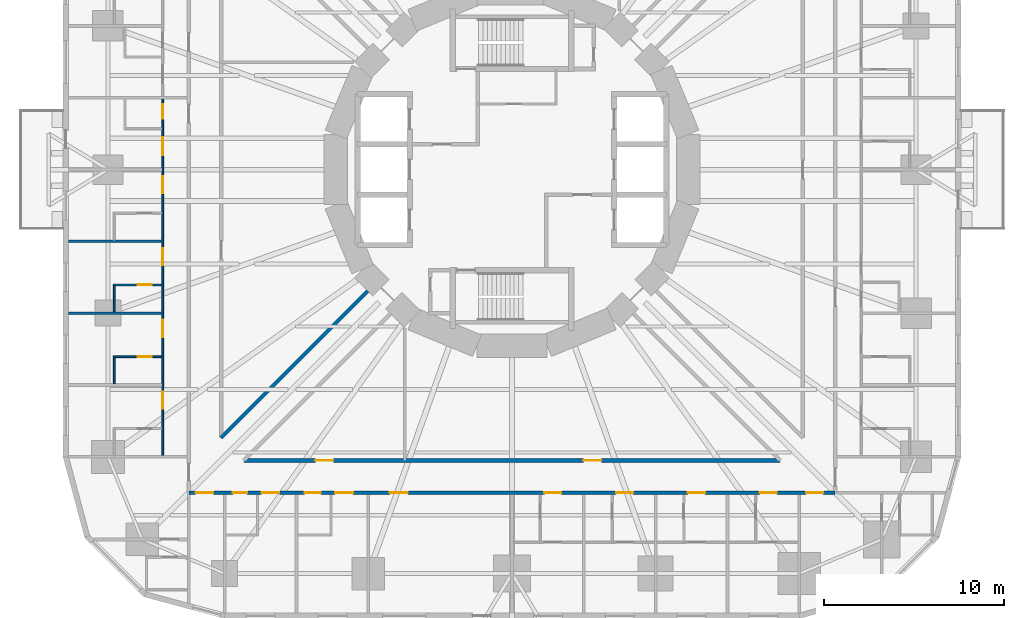
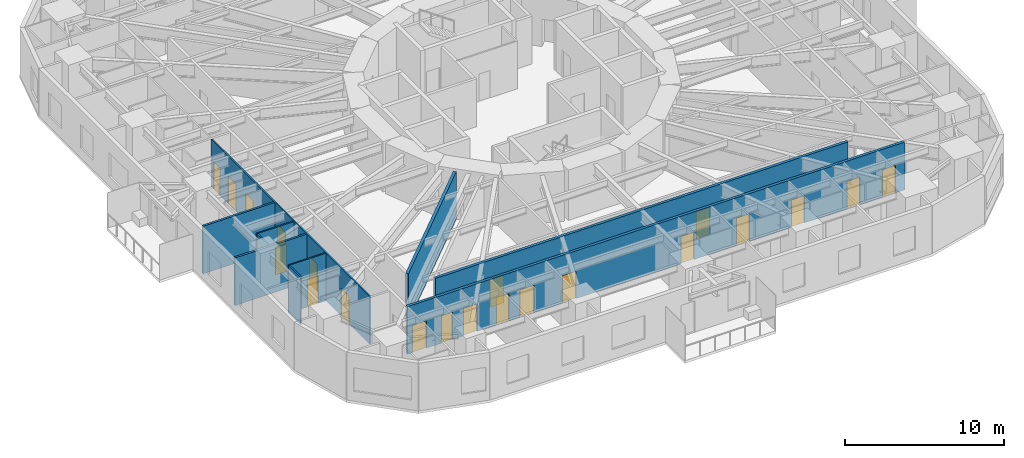
# One storey, part 5 of 14: 21 doors, 10 walls, 21 openings.
"""IFC4 building model written with IfcOpenShell, lengths in metres."""

from ifc_helpers import new_model, si_unit, direction, frame, frame_2d, origin, place, context, subcontext, project, spatial, rectangle, extrude, material, layer, layer_set, type_object, element, fill, save


model = new_model("IFC4")

# Units and contexts
model_context = context("Model", 3, precision=1e-05, world=origin(), true_north=direction((0.0, 1.0)))
body_context = subcontext(model_context, "Body", "Model", "MODEL_VIEW")
ifc_project = project(units=[si_unit("LENGTHUNIT", "METRE"), si_unit("AREAUNIT", "SQUARE_METRE"), si_unit("VOLUMEUNIT", "CUBIC_METRE"), si_unit("PLANEANGLEUNIT", "RADIAN"), si_unit("MASSUNIT", "GRAM", prefix="KILO")], contexts=[model_context])

# Site, building, storey
site_placement = place(None, origin())
site = spatial("IfcSite", under=ifc_project, at=site_placement, CompositionType="ELEMENT")
building_placement = place(site_placement, origin())
building = spatial("IfcBuilding", under=site, at=building_placement, Name="Nakasero Lantern House", CompositionType="ELEMENT")
storey_placement = place(building_placement, frame((0.0, 0.0, 19.85009765625)))
storey = spatial("IfcBuildingStorey", under=building, at=storey_placement, Name="L04", CompositionType="ELEMENT", Elevation=19.85009765625)

# Wall, openings, doors
ifc_material_1 = material(Name="Blockwork", Category="masonry")
ifc_layer_1 = layer(ifc_material_1, 0.10009765625)
ifc_layer_set_1 = layer_set([ifc_layer_1], Name="Cluster hall wall 100")
wall_type_1 = type_object("IfcWallType", Name="Cluster hall wall 100", PredefinedType="PARTITIONING", material=ifc_layer_set_1)
wall_1_placement = place(storey_placement, frame((-19.449951171875, 3.925048828125, 0.0), z_axis=(0.0, 0.0, 1.0), x_axis=(0.0, -1.0, 0.0)))
wall_1 = element("IfcWall", 1, at=wall_1_placement, inside=storey, type_object=wall_type_1, Name="Cluster hall wall L04 HW2-1", PredefinedType="PARTITIONING", context=body_context, shape_type="SweptSolid", body=[
    extrude(rectangle(XDim=19.85009765625, YDim=0.10009765625, at=frame_2d((9.925048828125, 0.0))), origin(), (0.0, 0.0, 1.0), 3.64990234375),
])
opening_1_placement = place(wall_1_placement, frame((2.125, 0.0, 0.0)))
opening_1 = element("IfcOpeningElement", 2, at=opening_1_placement, cuts=wall_1, Name="Opening D03", PredefinedType="OPENING", context=body_context, shape_type="SweptSolid", body=[
    extrude(rectangle(XDim=1.0, YDim=2.10009765625, at=frame_2d((0.5, 1.050048828125))), frame((0.0, 0.070068359375, 0.0), z_axis=(0.0, -1.0, 0.0), x_axis=(1.0, 0.0, 0.0)), (0.0, 0.0, 1.0), 0.14013671875),
])
opening_2_placement = place(wall_1_placement, frame((0.300048828125, 0.0, 0.0)))
opening_2 = element("IfcOpeningElement", 3, at=opening_2_placement, cuts=wall_1, Name="Opening D02", PredefinedType="OPENING", context=body_context, shape_type="SweptSolid", body=[
    extrude(rectangle(XDim=0.800048828125, YDim=2.10009765625, at=frame_2d((0.39990234375, 1.050048828125))), frame((0.0, 0.070068359375, 0.0), z_axis=(0.0, -1.0, 0.0), x_axis=(1.0, 0.0, 0.0)), (0.0, 0.0, 1.0), 0.14013671875),
])
opening_3_placement = place(wall_1_placement, frame((4.300048828125, 0.0, 0.0)))
opening_3 = element("IfcOpeningElement", 4, at=opening_3_placement, cuts=wall_1, Name="Opening D01", PredefinedType="OPENING", context=body_context, shape_type="SweptSolid", body=[
    extrude(rectangle(XDim=0.949951171875, YDim=2.10009765625, at=frame_2d((0.47509765625, 1.050048828125))), frame((0.0, 0.070068359375, 0.0), z_axis=(0.0, -1.0, 0.0), x_axis=(1.0, 0.0, 0.0)), (0.0, 0.0, 1.0), 0.14013671875),
])
opening_4_placement = place(wall_1_placement, frame((8.300048828125, 0.0, 0.0)))
opening_4 = element("IfcOpeningElement", 5, at=opening_4_placement, cuts=wall_1, Name="Opening D01", PredefinedType="OPENING", context=body_context, shape_type="SweptSolid", body=[
    extrude(rectangle(XDim=0.949951171875, YDim=2.10009765625, at=frame_2d((0.47509765625, 1.050048828125))), frame((0.0, 0.070068359375, 0.0), z_axis=(0.0, -1.0, 0.0), x_axis=(1.0, 0.0, 0.0)), (0.0, 0.0, 1.0), 0.14013671875),
])
opening_5_placement = place(wall_1_placement, frame((12.300048828125, 0.0, 0.0)))
opening_5 = element("IfcOpeningElement", 6, at=opening_5_placement, cuts=wall_1, Name="Opening D01", PredefinedType="OPENING", context=body_context, shape_type="SweptSolid", body=[
    extrude(rectangle(XDim=0.949951171875, YDim=2.10009765625, at=frame_2d((0.47509765625, 1.050048828125))), frame((0.0, 0.070068359375, 0.0), z_axis=(0.0, -1.0, 0.0), x_axis=(1.0, 0.0, 0.0)), (0.0, 0.0, 1.0), 0.14013671875),
])
opening_6_placement = place(wall_1_placement, frame((16.300048828125, 0.0, 0.0)))
opening_6 = element("IfcOpeningElement", 7, at=opening_6_placement, cuts=wall_1, Name="Opening D01", PredefinedType="OPENING", context=body_context, shape_type="SweptSolid", body=[
    extrude(rectangle(XDim=0.949951171875, YDim=2.10009765625, at=frame_2d((0.47509765625, 1.050048828125))), frame((0.0, 0.070068359375, 0.0), z_axis=(0.0, -1.0, 0.0), x_axis=(1.0, 0.0, 0.0)), (0.0, 0.0, 1.0), 0.14013671875),
])
ifc_material_2 = material(Name="Timber C24", Category="wood")
door_type_1 = type_object("IfcDoorType", Name="Bedroom door FD30S 950", OperationType="SINGLE_SWING_LEFT", PredefinedType="DOOR", material=ifc_material_2)
door_1_placement = place(opening_3_placement, origin())
door_1 = element("IfcDoor", 8, at=door_1_placement, inside=storey, type_object=door_type_1, Name="Door L04 D2-05", OperationType="SINGLE_SWING_LEFT", OverallHeight=2.10009765625, OverallWidth=0.949951171875, PredefinedType="DOOR", context=body_context, shape_type="SweptSolid", body=[
    extrude(rectangle(XDim=0.949951171875, YDim=2.10009765625, at=frame_2d((0.47509765625, 1.050048828125))), frame((0.0, 0.02490234375, 0.0), z_axis=(0.0, -1.0, 0.0), x_axis=(1.0, 0.0, 0.0)), (0.0, 0.0, 1.0), 0.050048828125),
])
fill(opening_3, door_1)
door_2_placement = place(opening_4_placement, origin())
door_2 = element("IfcDoor", 9, at=door_2_placement, inside=storey, type_object=door_type_1, Name="Door L04 D2-06", OperationType="SINGLE_SWING_LEFT", OverallHeight=2.10009765625, OverallWidth=0.949951171875, PredefinedType="DOOR", context=body_context, shape_type="SweptSolid", body=[
    extrude(rectangle(XDim=0.949951171875, YDim=2.10009765625, at=frame_2d((0.47509765625, 1.050048828125))), frame((0.0, 0.02490234375, 0.0), z_axis=(0.0, -1.0, 0.0), x_axis=(1.0, 0.0, 0.0)), (0.0, 0.0, 1.0), 0.050048828125),
])
fill(opening_4, door_2)
door_3_placement = place(opening_5_placement, origin())
door_3 = element("IfcDoor", 10, at=door_3_placement, inside=storey, type_object=door_type_1, Name="Door L04 D2-07", OperationType="SINGLE_SWING_RIGHT", OverallHeight=2.10009765625, OverallWidth=0.949951171875, PredefinedType="DOOR", context=body_context, shape_type="SweptSolid", body=[
    extrude(rectangle(XDim=0.949951171875, YDim=2.10009765625, at=frame_2d((0.47509765625, 1.050048828125))), frame((0.0, 0.02490234375, 0.0), z_axis=(0.0, -1.0, 0.0), x_axis=(1.0, 0.0, 0.0)), (0.0, 0.0, 1.0), 0.050048828125),
])
fill(opening_5, door_3)
door_4_placement = place(opening_6_placement, origin())
door_4 = element("IfcDoor", 11, at=door_4_placement, inside=storey, type_object=door_type_1, Name="Door L04 D2-08", OperationType="SINGLE_SWING_RIGHT", OverallHeight=2.10009765625, OverallWidth=0.949951171875, PredefinedType="DOOR", context=body_context, shape_type="SweptSolid", body=[
    extrude(rectangle(XDim=0.949951171875, YDim=2.10009765625, at=frame_2d((0.47509765625, 1.050048828125))), frame((0.0, 0.02490234375, 0.0), z_axis=(0.0, -1.0, 0.0), x_axis=(1.0, 0.0, 0.0)), (0.0, 0.0, 1.0), 0.050048828125),
])
fill(opening_6, door_4)
ifc_material_3 = material(Name="Timber C24", Category="wood")
door_type_2 = type_object("IfcDoorType", Name="En-suite door 800", OperationType="SINGLE_SWING_RIGHT", PredefinedType="DOOR", material=ifc_material_3)
door_5_placement = place(opening_2_placement, origin())
door_5 = element("IfcDoor", 12, at=door_5_placement, inside=storey, type_object=door_type_2, Name="Door L04 DSH2-1", OperationType="SINGLE_SWING_LEFT", OverallHeight=2.10009765625, OverallWidth=0.800048828125, PredefinedType="DOOR", context=body_context, shape_type="SweptSolid", body=[
    extrude(rectangle(XDim=0.800048828125, YDim=2.10009765625, at=frame_2d((0.39990234375, 1.050048828125))), frame((0.0, 0.02490234375, 0.0), z_axis=(0.0, -1.0, 0.0), x_axis=(1.0, 0.0, 0.0)), (0.0, 0.0, 1.0), 0.050048828125),
])
fill(opening_2, door_5)
ifc_material_4 = material(Name="Timber C24", Category="wood")
door_type_3 = type_object("IfcDoorType", Name="Lounge door FD30S 1000", OperationType="SINGLE_SWING_LEFT", PredefinedType="DOOR", material=ifc_material_4)
door_6_placement = place(opening_1_placement, origin())
door_6 = element("IfcDoor", 13, at=door_6_placement, inside=storey, type_object=door_type_3, Name="Door L04 DH2-1", OperationType="SINGLE_SWING_LEFT", OverallHeight=2.10009765625, OverallWidth=1.0, PredefinedType="DOOR", context=body_context, shape_type="SweptSolid", body=[
    extrude(rectangle(XDim=1.0, YDim=2.10009765625, at=frame_2d((0.5, 1.050048828125))), frame((0.0, 0.02490234375, 0.0), z_axis=(0.0, -1.0, 0.0), x_axis=(1.0, 0.0, 0.0)), (0.0, 0.0, 1.0), 0.050048828125),
])
fill(opening_1, door_6)

ifc_material_5 = material(Name="Blockwork", Category="masonry")
ifc_layer_2 = layer(ifc_material_5, 0.199951171875)
ifc_layer_set_2 = layer_set([ifc_layer_2], Name="Corridor wall 200")
wall_type_2 = type_object("IfcWallType", Name="Corridor wall 200", PredefinedType="PARTITIONING", material=ifc_layer_set_2)
wall_2_placement = place(storey_placement, frame((-18.0, -18.0, 0.0), z_axis=(0.0, 0.0, 1.0), x_axis=(1.0, 0.0, 0.0)))
wall_2 = element("IfcWall", 14, at=wall_2_placement, inside=storey, type_object=wall_type_2, Name="Corridor wall L04 CW3", PredefinedType="PARTITIONING", context=body_context, shape_type="SweptSolid", body=[
    extrude(rectangle(XDim=36.0, YDim=0.199951171875, at=frame_2d((18.0, 0.0))), origin(), (0.0, 0.0, 1.0), 3.64990234375),
])
opening_7_placement = place(wall_2_placement, frame((0.375, 0.0, 0.0)))
opening_7 = element("IfcOpeningElement", 15, at=opening_7_placement, cuts=wall_2, Name="Opening D07", PredefinedType="OPENING", context=body_context, shape_type="SweptSolid", body=[
    extrude(rectangle(XDim=1.0, YDim=2.10009765625, at=frame_2d((0.5, 1.050048828125))), frame((0.0, 0.119873046875, 0.0), z_axis=(0.0, -1.0, 0.0), x_axis=(1.0, 0.0, 0.0)), (0.0, 0.0, 1.0), 0.239990234375),
])
opening_8_placement = place(wall_2_placement, frame((2.449951171875, 0.0, 0.0)))
opening_8 = element("IfcOpeningElement", 16, at=opening_8_placement, cuts=wall_2, Name="Opening D15", PredefinedType="OPENING", context=body_context, shape_type="SweptSolid", body=[
    extrude(rectangle(XDim=0.800048828125, YDim=2.10009765625, at=frame_2d((0.39990234375, 1.050048828125))), frame((0.0, 0.119873046875, 0.0), z_axis=(0.0, -1.0, 0.0), x_axis=(1.0, 0.0, 0.0)), (0.0, 0.0, 1.0), 0.239990234375),
])
opening_9_placement = place(wall_2_placement, frame((4.050048828125, 0.0, 0.0)))
opening_9 = element("IfcOpeningElement", 17, at=opening_9_placement, cuts=wall_2, Name="Opening D07", PredefinedType="OPENING", context=body_context, shape_type="SweptSolid", body=[
    extrude(rectangle(XDim=1.0, YDim=2.10009765625, at=frame_2d((0.5, 1.050048828125))), frame((0.0, 0.119873046875, 0.0), z_axis=(0.0, -1.0, 0.0), x_axis=(1.0, 0.0, 0.0)), (0.0, 0.0, 1.0), 0.239990234375),
])
opening_10_placement = place(wall_2_placement, frame((6.449951171875, 0.0, 0.0)))
opening_10 = element("IfcOpeningElement", 18, at=opening_10_placement, cuts=wall_2, Name="Opening D16", PredefinedType="OPENING", context=body_context, shape_type="SweptSolid", body=[
    extrude(rectangle(XDim=0.89990234375, YDim=2.10009765625, at=frame_2d((0.449951171875, 1.050048828125))), frame((0.0, 0.119873046875, 0.0), z_axis=(0.0, -1.0, 0.0), x_axis=(1.0, 0.0, 0.0)), (0.0, 0.0, 1.0), 0.239990234375),
])
opening_11_placement = place(wall_2_placement, frame((8.14990234375, 0.0, 0.0)))
opening_11 = element("IfcOpeningElement", 19, at=opening_11_placement, cuts=wall_2, Name="Opening D07", PredefinedType="OPENING", context=body_context, shape_type="SweptSolid", body=[
    extrude(rectangle(XDim=1.0, YDim=2.10009765625, at=frame_2d((0.5, 1.050048828125))), frame((0.0, 0.119873046875, 0.0), z_axis=(0.0, -1.0, 0.0), x_axis=(1.0, 0.0, 0.0)), (0.0, 0.0, 1.0), 0.239990234375),
])
opening_12_placement = place(wall_2_placement, frame((19.800048828125, 0.0, 0.0)))
opening_12 = element("IfcOpeningElement", 20, at=opening_12_placement, cuts=wall_2, Name="Opening D01", PredefinedType="OPENING", context=body_context, shape_type="SweptSolid", body=[
    extrude(rectangle(XDim=0.949951171875, YDim=2.10009765625, at=frame_2d((0.47509765625, 1.050048828125))), frame((0.0, 0.119873046875, 0.0), z_axis=(0.0, -1.0, 0.0), x_axis=(1.0, 0.0, 0.0)), (0.0, 0.0, 1.0), 0.239990234375),
])
opening_13_placement = place(wall_2_placement, frame((23.800048828125, 0.0, 0.0)))
opening_13 = element("IfcOpeningElement", 21, at=opening_13_placement, cuts=wall_2, Name="Opening D01", PredefinedType="OPENING", context=body_context, shape_type="SweptSolid", body=[
    extrude(rectangle(XDim=0.949951171875, YDim=2.10009765625, at=frame_2d((0.47509765625, 1.050048828125))), frame((0.0, 0.119873046875, 0.0), z_axis=(0.0, -1.0, 0.0), x_axis=(1.0, 0.0, 0.0)), (0.0, 0.0, 1.0), 0.239990234375),
])
opening_14_placement = place(wall_2_placement, frame((27.800048828125, 0.0, 0.0)))
opening_14 = element("IfcOpeningElement", 22, at=opening_14_placement, cuts=wall_2, Name="Opening D01", PredefinedType="OPENING", context=body_context, shape_type="SweptSolid", body=[
    extrude(rectangle(XDim=0.949951171875, YDim=2.10009765625, at=frame_2d((0.47509765625, 1.050048828125))), frame((0.0, 0.119873046875, 0.0), z_axis=(0.0, -1.0, 0.0), x_axis=(1.0, 0.0, 0.0)), (0.0, 0.0, 1.0), 0.239990234375),
])
opening_15_placement = place(wall_2_placement, frame((31.800048828125, 0.0, 0.0)))
opening_15 = element("IfcOpeningElement", 23, at=opening_15_placement, cuts=wall_2, Name="Opening D01", PredefinedType="OPENING", context=body_context, shape_type="SweptSolid", body=[
    extrude(rectangle(XDim=0.949951171875, YDim=2.10009765625, at=frame_2d((0.47509765625, 1.050048828125))), frame((0.0, 0.119873046875, 0.0), z_axis=(0.0, -1.0, 0.0), x_axis=(1.0, 0.0, 0.0)), (0.0, 0.0, 1.0), 0.239990234375),
])
opening_16_placement = place(wall_2_placement, frame((34.375, 0.0, 0.0)))
opening_16 = element("IfcOpeningElement", 24, at=opening_16_placement, cuts=wall_2, Name="Opening D01", PredefinedType="OPENING", context=body_context, shape_type="SweptSolid", body=[
    extrude(rectangle(XDim=0.949951171875, YDim=2.10009765625, at=frame_2d((0.47509765625, 1.050048828125))), frame((0.0, 0.119873046875, 0.0), z_axis=(0.0, -1.0, 0.0), x_axis=(1.0, 0.0, 0.0)), (0.0, 0.0, 1.0), 0.239990234375),
])
opening_17_placement = place(wall_2_placement, frame((11.199951171875, 0.0, 0.0)))
opening_17 = element("IfcOpeningElement", 25, at=opening_17_placement, cuts=wall_2, Name="Opening D03", PredefinedType="OPENING", context=body_context, shape_type="SweptSolid", body=[
    extrude(rectangle(XDim=1.0, YDim=2.10009765625, at=frame_2d((0.5, 1.050048828125))), frame((0.0, 0.119873046875, 0.0), z_axis=(0.0, -1.0, 0.0), x_axis=(1.0, 0.0, 0.0)), (0.0, 0.0, 1.0), 0.239990234375),
])
ifc_material_6 = material(Name="Timber C24", Category="wood")
door_type_4 = type_object("IfcDoorType", Name="Accessible WC door 900", OperationType="SINGLE_SWING_RIGHT", PredefinedType="DOOR", material=ifc_material_6)
door_7_placement = place(opening_10_placement, origin())
door_7 = element("IfcDoor", 26, at=door_7_placement, inside=storey, type_object=door_type_4, Name="Door L04 DS3-02", OperationType="SINGLE_SWING_LEFT", OverallHeight=2.10009765625, OverallWidth=0.89990234375, PredefinedType="DOOR", context=body_context, shape_type="SweptSolid", body=[
    extrude(rectangle(XDim=0.89990234375, YDim=2.10009765625, at=frame_2d((0.449951171875, 1.050048828125))), frame((0.0, 0.02490234375, 0.0), z_axis=(0.0, -1.0, 0.0), x_axis=(1.0, 0.0, 0.0)), (0.0, 0.0, 1.0), 0.050048828125),
])
fill(opening_10, door_7)
door_8_placement = place(opening_12_placement, origin())
door_8 = element("IfcDoor", 27, at=door_8_placement, inside=storey, type_object=door_type_1, Name="Door L04 D3-05", OperationType="SINGLE_SWING_RIGHT", OverallHeight=2.10009765625, OverallWidth=0.949951171875, PredefinedType="DOOR", context=body_context, shape_type="SweptSolid", body=[
    extrude(rectangle(XDim=0.949951171875, YDim=2.10009765625, at=frame_2d((0.47509765625, 1.050048828125))), frame((0.0, 0.02490234375, 0.0), z_axis=(0.0, -1.0, 0.0), x_axis=(1.0, 0.0, 0.0)), (0.0, 0.0, 1.0), 0.050048828125),
])
fill(opening_12, door_8)
door_9_placement = place(opening_13_placement, origin())
door_9 = element("IfcDoor", 28, at=door_9_placement, inside=storey, type_object=door_type_1, Name="Door L04 D3-06", OperationType="SINGLE_SWING_RIGHT", OverallHeight=2.10009765625, OverallWidth=0.949951171875, PredefinedType="DOOR", context=body_context, shape_type="SweptSolid", body=[
    extrude(rectangle(XDim=0.949951171875, YDim=2.10009765625, at=frame_2d((0.47509765625, 1.050048828125))), frame((0.0, 0.02490234375, 0.0), z_axis=(0.0, -1.0, 0.0), x_axis=(1.0, 0.0, 0.0)), (0.0, 0.0, 1.0), 0.050048828125),
])
fill(opening_13, door_9)
door_10_placement = place(opening_14_placement, origin())
door_10 = element("IfcDoor", 29, at=door_10_placement, inside=storey, type_object=door_type_1, Name="Door L04 D3-07", OperationType="SINGLE_SWING_RIGHT", OverallHeight=2.10009765625, OverallWidth=0.949951171875, PredefinedType="DOOR", context=body_context, shape_type="SweptSolid", body=[
    extrude(rectangle(XDim=0.949951171875, YDim=2.10009765625, at=frame_2d((0.47509765625, 1.050048828125))), frame((0.0, 0.02490234375, 0.0), z_axis=(0.0, -1.0, 0.0), x_axis=(1.0, 0.0, 0.0)), (0.0, 0.0, 1.0), 0.050048828125),
])
fill(opening_14, door_10)
door_11_placement = place(opening_15_placement, origin())
door_11 = element("IfcDoor", 30, at=door_11_placement, inside=storey, type_object=door_type_1, Name="Door L04 D3-08", OperationType="SINGLE_SWING_RIGHT", OverallHeight=2.10009765625, OverallWidth=0.949951171875, PredefinedType="DOOR", context=body_context, shape_type="SweptSolid", body=[
    extrude(rectangle(XDim=0.949951171875, YDim=2.10009765625, at=frame_2d((0.47509765625, 1.050048828125))), frame((0.0, 0.02490234375, 0.0), z_axis=(0.0, -1.0, 0.0), x_axis=(1.0, 0.0, 0.0)), (0.0, 0.0, 1.0), 0.050048828125),
])
fill(opening_15, door_11)
door_12_placement = place(opening_16_placement, origin())
door_12 = element("IfcDoor", 31, at=door_12_placement, inside=storey, type_object=door_type_1, Name="Door L04 D3-09", OperationType="SINGLE_SWING_RIGHT", OverallHeight=2.10009765625, OverallWidth=0.949951171875, PredefinedType="DOOR", context=body_context, shape_type="SweptSolid", body=[
    extrude(rectangle(XDim=0.949951171875, YDim=2.10009765625, at=frame_2d((0.47509765625, 1.050048828125))), frame((0.0, 0.02490234375, 0.0), z_axis=(0.0, -1.0, 0.0), x_axis=(1.0, 0.0, 0.0)), (0.0, 0.0, 1.0), 0.050048828125),
])
fill(opening_16, door_12)
ifc_material_7 = material(Name="Timber C24", Category="wood")
door_type_5 = type_object("IfcDoorType", Name="Cleaner's store door FD30S 800", OperationType="SINGLE_SWING_LEFT", PredefinedType="DOOR", material=ifc_material_7)
door_13_placement = place(opening_8_placement, origin())
door_13 = element("IfcDoor", 32, at=door_13_placement, inside=storey, type_object=door_type_5, Name="Door L04 DS3-01", OperationType="SINGLE_SWING_LEFT", OverallHeight=2.10009765625, OverallWidth=0.800048828125, PredefinedType="DOOR", context=body_context, shape_type="SweptSolid", body=[
    extrude(rectangle(XDim=0.800048828125, YDim=2.10009765625, at=frame_2d((0.39990234375, 1.050048828125))), frame((0.0, 0.02490234375, 0.0), z_axis=(0.0, -1.0, 0.0), x_axis=(1.0, 0.0, 0.0)), (0.0, 0.0, 1.0), 0.050048828125),
])
fill(opening_8, door_13)
door_14_placement = place(opening_17_placement, origin())
door_14 = element("IfcDoor", 33, at=door_14_placement, inside=storey, type_object=door_type_3, Name="Door L04 DK3", OperationType="SINGLE_SWING_LEFT", OverallHeight=2.10009765625, OverallWidth=1.0, PredefinedType="DOOR", context=body_context, shape_type="SweptSolid", body=[
    extrude(rectangle(XDim=1.0, YDim=2.10009765625, at=frame_2d((0.5, 1.050048828125))), frame((0.0, 0.02490234375, 0.0), z_axis=(0.0, -1.0, 0.0), x_axis=(1.0, 0.0, 0.0)), (0.0, 0.0, 1.0), 0.050048828125),
])
fill(opening_17, door_14)
ifc_material_8 = material(Name="Timber C24", Category="wood")
door_type_6 = type_object("IfcDoorType", Name="Room door FD30S 1000", OperationType="SINGLE_SWING_LEFT", PredefinedType="DOOR", material=ifc_material_8)
door_15_placement = place(opening_7_placement, origin())
door_15 = element("IfcDoor", 34, at=door_15_placement, inside=storey, type_object=door_type_6, Name="Door L04 D3-00", OperationType="SINGLE_SWING_LEFT", OverallHeight=2.10009765625, OverallWidth=1.0, PredefinedType="DOOR", context=body_context, shape_type="SweptSolid", body=[
    extrude(rectangle(XDim=1.0, YDim=2.10009765625, at=frame_2d((0.5, 1.050048828125))), frame((0.0, 0.02490234375, 0.0), z_axis=(0.0, -1.0, 0.0), x_axis=(1.0, 0.0, 0.0)), (0.0, 0.0, 1.0), 0.050048828125),
])
fill(opening_7, door_15)
door_16_placement = place(opening_9_placement, origin())
door_16 = element("IfcDoor", 35, at=door_16_placement, inside=storey, type_object=door_type_6, Name="Door L04 D3-01", OperationType="SINGLE_SWING_LEFT", OverallHeight=2.10009765625, OverallWidth=1.0, PredefinedType="DOOR", context=body_context, shape_type="SweptSolid", body=[
    extrude(rectangle(XDim=1.0, YDim=2.10009765625, at=frame_2d((0.5, 1.050048828125))), frame((0.0, 0.02490234375, 0.0), z_axis=(0.0, -1.0, 0.0), x_axis=(1.0, 0.0, 0.0)), (0.0, 0.0, 1.0), 0.050048828125),
])
fill(opening_9, door_16)
door_17_placement = place(opening_11_placement, origin())
door_17 = element("IfcDoor", 36, at=door_17_placement, inside=storey, type_object=door_type_6, Name="Door L04 D3-02", OperationType="SINGLE_SWING_LEFT", OverallHeight=2.10009765625, OverallWidth=1.0, PredefinedType="DOOR", context=body_context, shape_type="SweptSolid", body=[
    extrude(rectangle(XDim=1.0, YDim=2.10009765625, at=frame_2d((0.5, 1.050048828125))), frame((0.0, 0.02490234375, 0.0), z_axis=(0.0, -1.0, 0.0), x_axis=(1.0, 0.0, 0.0)), (0.0, 0.0, 1.0), 0.050048828125),
])
fill(opening_11, door_17)

wall_3_placement = place(storey_placement, frame((-14.92724609375, -16.199951171875, 0.0), z_axis=(0.0, 0.0, 1.0), x_axis=(1.0, 0.0, 0.0)))
wall_3 = element("IfcWall", 37, at=wall_3_placement, inside=storey, type_object=wall_type_2, Name="Corridor wall L04 IW3-0", PredefinedType="PARTITIONING", context=body_context, shape_type="SweptSolid", body=[
    extrude(rectangle(XDim=29.8544921875, YDim=0.199951171875, at=frame_2d((14.92724609375, 0.0))), origin(), (0.0, 0.0, 1.0), 3.64990234375),
])
opening_18_placement = place(wall_3_placement, frame((3.978271484375, 0.0, 0.0)))
opening_18 = element("IfcOpeningElement", 38, at=opening_18_placement, cuts=wall_3, Name="Opening D07", PredefinedType="OPENING", context=body_context, shape_type="SweptSolid", body=[
    extrude(rectangle(XDim=1.0, YDim=2.10009765625, at=frame_2d((0.5, 1.050048828125))), frame((0.0, 0.119873046875, 0.0), z_axis=(0.0, -1.0, 0.0), x_axis=(1.0, 0.0, 0.0)), (0.0, 0.0, 1.0), 0.239990234375),
])
opening_19_placement = place(wall_3_placement, frame((18.9052734375, 0.0, 0.0)))
opening_19 = element("IfcOpeningElement", 39, at=opening_19_placement, cuts=wall_3, Name="Opening D07", PredefinedType="OPENING", context=body_context, shape_type="SweptSolid", body=[
    extrude(rectangle(XDim=1.0, YDim=2.10009765625, at=frame_2d((0.5, 1.050048828125))), frame((0.0, 0.119873046875, 0.0), z_axis=(0.0, -1.0, 0.0), x_axis=(1.0, 0.0, 0.0)), (0.0, 0.0, 1.0), 0.239990234375),
])
door_18_placement = place(opening_18_placement, origin())
door_18 = element("IfcDoor", 40, at=door_18_placement, inside=storey, type_object=door_type_6, Name="Door L04 DI3", OperationType="SINGLE_SWING_LEFT", OverallHeight=2.10009765625, OverallWidth=1.0, PredefinedType="DOOR", context=body_context, shape_type="SweptSolid", body=[
    extrude(rectangle(XDim=1.0, YDim=2.10009765625, at=frame_2d((0.5, 1.050048828125))), frame((0.0, 0.02490234375, 0.0), z_axis=(0.0, -1.0, 0.0), x_axis=(1.0, 0.0, 0.0)), (0.0, 0.0, 1.0), 0.050048828125),
])
fill(opening_18, door_18)
door_19_placement = place(opening_19_placement, origin())
door_19 = element("IfcDoor", 41, at=door_19_placement, inside=storey, type_object=door_type_6, Name="Door L04 DI3S", OperationType="SINGLE_SWING_RIGHT", OverallHeight=2.10009765625, OverallWidth=1.0, PredefinedType="DOOR", context=body_context, shape_type="SweptSolid", body=[
    extrude(rectangle(XDim=1.0, YDim=2.10009765625, at=frame_2d((0.5, 1.050048828125))), frame((0.0, 0.02490234375, 0.0), z_axis=(0.0, -1.0, 0.0), x_axis=(1.0, 0.0, 0.0)), (0.0, 0.0, 1.0), 0.050048828125),
])
fill(opening_19, door_19)

# Wall
wall_4_placement = place(storey_placement, frame((-8.03125, -6.758544921875, 0.0), z_axis=(0.0, 0.0, 1.0), x_axis=(-0.707106781187, -0.707106781187, 0.0)))
element("IfcWall", 42, at=wall_4_placement, inside=storey, type_object=wall_type_2, Name="Corridor wall L04 PS10b", PredefinedType="PARTITIONING", context=body_context, shape_type="SweptSolid", body=[
    extrude(rectangle(XDim=11.55224609375, YDim=0.199951171875, at=frame_2d((5.776123046875, 0.0))), origin(), (0.0, 0.0, 1.0), 3.64990234375),
])

# Wall, opening, door
ifc_material_9 = material(Name="Blockwork", Category="masonry")
ifc_layer_3 = layer(ifc_material_9, 0.10009765625)
ifc_layer_set_3 = layer_set([ifc_layer_3], Name="En-suite wall 100")
wall_type_3 = type_object("IfcWallType", Name="En-suite wall 100", PredefinedType="PARTITIONING", material=ifc_layer_set_3)
wall_5_placement = place(storey_placement, frame((-19.5, -6.425048828125, 0.0), z_axis=(0.0, 0.0, 1.0), x_axis=(-1.0, 0.0, 0.0)))
wall_5 = element("IfcWall", 43, at=wall_5_placement, inside=storey, type_object=wall_type_3, Name="En-suite wall L04 ES2-06", PredefinedType="PARTITIONING", context=body_context, shape_type="SweptSolid", body=[
    extrude(rectangle(XDim=2.699951171875, YDim=0.10009765625, at=frame_2d((1.35009765625, 0.0))), origin(), (0.0, 0.0, 1.0), 3.64990234375),
])
opening_20_placement = place(wall_5_placement, frame((0.550048828125, 0.0, 0.0)))
opening_20 = element("IfcOpeningElement", 44, at=opening_20_placement, cuts=wall_5, Name="Opening D02", PredefinedType="OPENING", context=body_context, shape_type="SweptSolid", body=[
    extrude(rectangle(XDim=0.800048828125, YDim=2.10009765625, at=frame_2d((0.39990234375, 1.050048828125))), frame((0.0, 0.070068359375, 0.0), z_axis=(0.0, -1.0, 0.0), x_axis=(1.0, 0.0, 0.0)), (0.0, 0.0, 1.0), 0.14013671875),
])
door_20_placement = place(opening_20_placement, origin())
door_20 = element("IfcDoor", 45, at=door_20_placement, inside=storey, type_object=door_type_2, Name="Door L04 DE2-06", OperationType="SINGLE_SWING_LEFT", OverallHeight=2.10009765625, OverallWidth=0.800048828125, PredefinedType="DOOR", context=body_context, shape_type="SweptSolid", body=[
    extrude(rectangle(XDim=0.800048828125, YDim=2.10009765625, at=frame_2d((0.39990234375, 1.050048828125))), frame((0.0, 0.02490234375, 0.0), z_axis=(0.0, -1.0, 0.0), x_axis=(1.0, 0.0, 0.0)), (0.0, 0.0, 1.0), 0.050048828125),
])
fill(opening_20, door_20)

# Wall
wall_6_placement = place(storey_placement, frame((-22.14990234375, -6.47509765625, 0.0), z_axis=(0.0, 0.0, 1.0), x_axis=(0.0, -1.0, 0.0)))
element("IfcWall", 46, at=wall_6_placement, inside=storey, type_object=wall_type_3, Name="En-suite wall L04 EE2-06", PredefinedType="PARTITIONING", context=body_context, shape_type="SweptSolid", body=[
    extrude(rectangle(XDim=1.449951171875, YDim=0.10009765625, at=frame_2d((0.72509765625, 0.0))), origin(), (0.0, 0.0, 1.0), 3.64990234375),
])

# Wall, opening, door
wall_7_placement = place(storey_placement, frame((-19.5, -10.425048828125, 0.0), z_axis=(0.0, 0.0, 1.0), x_axis=(-1.0, 0.0, 0.0)))
wall_7 = element("IfcWall", 47, at=wall_7_placement, inside=storey, type_object=wall_type_3, Name="En-suite wall L04 ES2-07", PredefinedType="PARTITIONING", context=body_context, shape_type="SweptSolid", body=[
    extrude(rectangle(XDim=2.699951171875, YDim=0.10009765625, at=frame_2d((1.35009765625, 0.0))), origin(), (0.0, 0.0, 1.0), 3.64990234375),
])
opening_21_placement = place(wall_7_placement, frame((0.550048828125, 0.0, 0.0)))
opening_21 = element("IfcOpeningElement", 48, at=opening_21_placement, cuts=wall_7, Name="Opening D02", PredefinedType="OPENING", context=body_context, shape_type="SweptSolid", body=[
    extrude(rectangle(XDim=0.800048828125, YDim=2.10009765625, at=frame_2d((0.39990234375, 1.050048828125))), frame((0.0, 0.070068359375, 0.0), z_axis=(0.0, -1.0, 0.0), x_axis=(1.0, 0.0, 0.0)), (0.0, 0.0, 1.0), 0.14013671875),
])
door_21_placement = place(opening_21_placement, origin())
door_21 = element("IfcDoor", 49, at=door_21_placement, inside=storey, type_object=door_type_2, Name="Door L04 DE2-07", OperationType="SINGLE_SWING_LEFT", OverallHeight=2.10009765625, OverallWidth=0.800048828125, PredefinedType="DOOR", context=body_context, shape_type="SweptSolid", body=[
    extrude(rectangle(XDim=0.800048828125, YDim=2.10009765625, at=frame_2d((0.39990234375, 1.050048828125))), frame((0.0, 0.02490234375, 0.0), z_axis=(0.0, -1.0, 0.0), x_axis=(1.0, 0.0, 0.0)), (0.0, 0.0, 1.0), 0.050048828125),
])
fill(opening_21, door_21)

# Walls
wall_8_placement = place(storey_placement, frame((-22.14990234375, -10.47509765625, 0.0), z_axis=(0.0, 0.0, 1.0), x_axis=(0.0, -1.0, 0.0)))
element("IfcWall", 50, at=wall_8_placement, inside=storey, type_object=wall_type_3, Name="En-suite wall L04 EE2-07", PredefinedType="PARTITIONING", context=body_context, shape_type="SweptSolid", body=[
    extrude(rectangle(XDim=1.449951171875, YDim=0.10009765625, at=frame_2d((0.72509765625, 0.0))), origin(), (0.0, 0.0, 1.0), 3.64990234375),
])
ifc_material_10 = material(Name="Blockwork", Category="masonry")
ifc_layer_4 = layer(ifc_material_10, 0.14990234375)
ifc_layer_set_4 = layer_set([ifc_layer_4], Name="Party wall 150")
wall_type_4 = type_object("IfcWallType", Name="Party wall 150", PredefinedType="PARTITIONING", material=ifc_layer_set_4)
for number, where, z_axis, x_axis, name in (
    (51, (-19.5, -4.0, 0.0), (0.0, 0.0, 1.0), (-1.0, 0.0, 0.0), "Party wall L04 PW2-06"),
    (52, (-19.5, -8.0, 0.0), (0.0, 0.0, 1.0), (-1.0, 0.0, 0.0), "Party wall L04 PW2-07"),
):
    element("IfcWall", number, at=place(storey_placement, frame(where, z_axis=z_axis, x_axis=x_axis)), inside=storey, type_object=wall_type_4, Name=name, PredefinedType="PARTITIONING", context=body_context, shape_type="SweptSolid", body=[
        extrude(rectangle(XDim=5.199951171875, YDim=0.14990234375, at=frame_2d((2.60009765625, 0.0))), origin(), (0.0, 0.0, 1.0), 3.64990234375),
    ])

save(model, "model.ifc")
